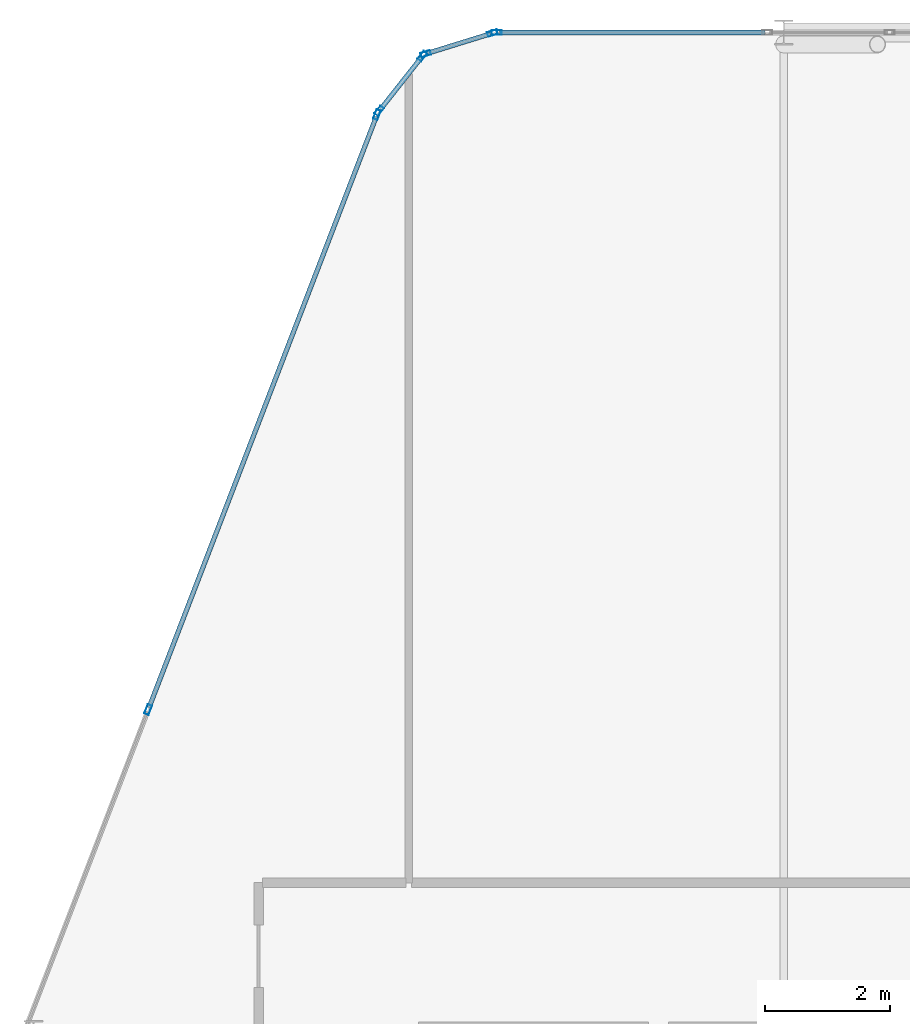
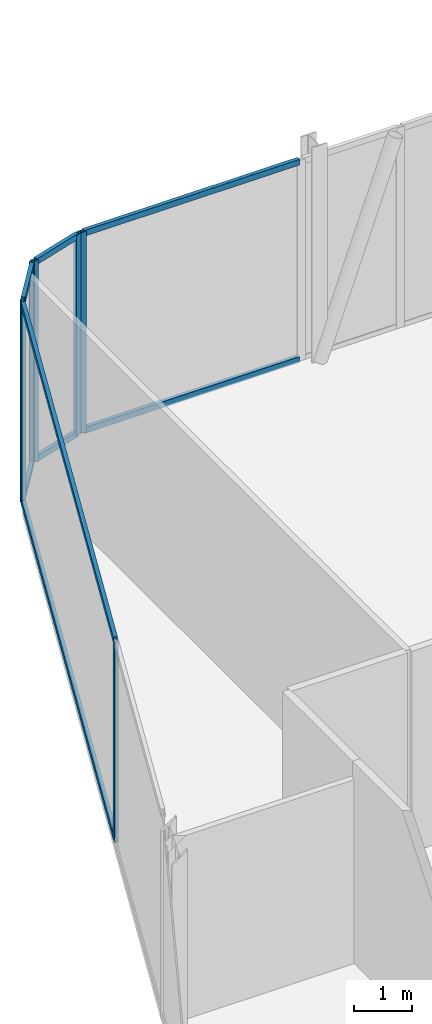
# One storey, part 14 of 24: 15 members, 4 elements without a shape of their own.
"""IFC4 building model written with IfcOpenShell, lengths in metres."""

from ifc_helpers import new_model, si_unit, direction, frame, origin, origin_2d, place, context, subcontext, project, spatial, hollow_rectangle, extrude, material, layer, layer_set, material_profile, profile_set, type_object, element, aggregate, save


model = new_model("IFC4")

# Units and contexts
model_context = context("Model", 3, precision=1e-05, world=origin(), true_north=direction((0.0, 1.0)))
body_context = subcontext(model_context, "Body", "Model", "MODEL_VIEW")
ifc_project = project(units=[si_unit("LENGTHUNIT", "METRE"), si_unit("AREAUNIT", "SQUARE_METRE"), si_unit("VOLUMEUNIT", "CUBIC_METRE"), si_unit("PLANEANGLEUNIT", "RADIAN"), si_unit("MASSUNIT", "GRAM", prefix="KILO")], contexts=[model_context])

# Site, building, storey
site_placement = place(None, origin())
site = spatial("IfcSite", under=ifc_project, at=site_placement, CompositionType="ELEMENT")
building_placement = place(site_placement, origin())
building = spatial("IfcBuilding", under=site, at=building_placement, Name="Keshet Zoharim Tower", CompositionType="ELEMENT")
storey_placement = place(building_placement, frame((0.0, 0.0, 299.10009765625)))
storey = spatial("IfcBuildingStorey", under=building, at=storey_placement, Name="L75", CompositionType="ELEMENT", Elevation=299.10009765625)

# Curtain wall, members
ifc_material = material(Name="Aluminium 6063-T6", Category="aluminium")
ifc_layer = layer(ifc_material, 0.260009765625)
ifc_layer_set = layer_set([ifc_layer], Name="Aluminium 6063-T6")
curtain_wall_type = type_object("IfcCurtainWallType", Name="CW-SYS-06", PredefinedType="NOTDEFINED", material=ifc_layer_set)
curtain_wall_1_placement = place(storey_placement, origin())
curtain_wall_1 = element("IfcCurtainWall", 1, at=curtain_wall_1_placement, inside=storey, type_object=curtain_wall_type, Name="L75 Unitised Curtain Wall 01", PredefinedType="NOTDEFINED")
ifc_material_profile_1 = material_profile(ifc_material, hollow_rectangle(XDim=0.074951171875, YDim=0.159912109375, WallThickness=0.00390625, at=origin_2d()), Name="MUL-75x160")
ifc_profile_set_1 = profile_set([ifc_material_profile_1], Name="Aluminium 6063-T6")
member_type_1 = type_object("IfcMemberType", Name="CWM-M15", PredefinedType="MULLION", material=ifc_profile_set_1)
member_1_placement = place(storey_placement, frame((10.833984375, 43.069091796875, 0.0), z_axis=(0.0, 0.0, 1.0), x_axis=(-0.933335529374, 0.359005277968, 0.0)))
member_1 = element("IfcMember", 2, at=member_1_placement, type_object=member_type_1, Name="CW-06 mullion 2", PredefinedType="MULLION", context=body_context, shape_type="SweptSolid", body=[
    extrude(hollow_rectangle(XDim=0.074951171875, YDim=0.159912109375, WallThickness=0.00390625, at=origin_2d()), origin(), (0.0, 0.0, 1.0), 4.18994140625),
])
member_2_placement = place(storey_placement, frame((14.494384765625, 52.58544921875, 0.0), z_axis=(0.0, 0.0, 1.0), x_axis=(-0.933335529374, 0.359005277968, 0.0)))
member_2 = element("IfcMember", 3, at=member_2_placement, type_object=member_type_1, Name="CW-06 mullion 3", PredefinedType="MULLION", context=body_context, shape_type="SweptSolid", body=[
    extrude(hollow_rectangle(XDim=0.074951171875, YDim=0.159912109375, WallThickness=0.00390625, at=origin_2d()), origin(), (0.0, 0.0, 1.0), 4.18994140625),
])

curtain_wall_2_placement = place(storey_placement, origin())
curtain_wall_2 = element("IfcCurtainWall", 4, at=curtain_wall_2_placement, inside=storey, type_object=curtain_wall_type, Name="L75 Unitised Curtain Wall 02", PredefinedType="NOTDEFINED")
member_3_placement = place(storey_placement, frame((14.528564453125, 52.6455078125, 0.0), z_axis=(0.0, 0.0, 1.0), x_axis=(-0.785292825205, 0.619124525989, 0.0)))
member_3 = element("IfcMember", 5, at=member_3_placement, type_object=member_type_1, Name="CW-06 mullion 1", PredefinedType="MULLION", context=body_context, shape_type="SweptSolid", body=[
    extrude(hollow_rectangle(XDim=0.074951171875, YDim=0.159912109375, WallThickness=0.00390625, at=origin_2d()), origin(), (0.0, 0.0, 1.0), 4.18994140625),
])
member_4_placement = place(storey_placement, frame((15.21923828125, 53.521484375, 0.0), z_axis=(0.0, 0.0, 1.0), x_axis=(-0.785292825205, 0.619124525989, 0.0)))
member_4 = element("IfcMember", 6, at=member_4_placement, type_object=member_type_1, Name="CW-06 mullion 2", PredefinedType="MULLION", context=body_context, shape_type="SweptSolid", body=[
    extrude(hollow_rectangle(XDim=0.074951171875, YDim=0.159912109375, WallThickness=0.00390625, at=origin_2d()), origin(), (0.0, 0.0, 1.0), 4.18994140625),
])

curtain_wall_3_placement = place(storey_placement, origin())
curtain_wall_3 = element("IfcCurtainWall", 7, at=curtain_wall_3_placement, inside=storey, type_object=curtain_wall_type, Name="L75 Unitised Curtain Wall 03", PredefinedType="NOTDEFINED")
member_5_placement = place(storey_placement, frame((15.2744140625, 53.559326171875, 0.0), z_axis=(0.0, 0.0, 1.0), x_axis=(-0.295921857984, 0.955212151288, 0.0)))
member_5 = element("IfcMember", 8, at=member_5_placement, type_object=member_type_1, Name="CW-06 mullion 1", PredefinedType="MULLION", context=body_context, shape_type="SweptSolid", body=[
    extrude(hollow_rectangle(XDim=0.074951171875, YDim=0.159912109375, WallThickness=0.00390625, at=origin_2d()), origin(), (0.0, 0.0, 1.0), 4.18994140625),
])
member_6_placement = place(storey_placement, frame((16.340576171875, 53.8896484375, 0.0), z_axis=(0.0, 0.0, 1.0), x_axis=(-0.295921857984, 0.955212151288, 0.0)))
member_6 = element("IfcMember", 9, at=member_6_placement, type_object=member_type_1, Name="CW-06 mullion 2", PredefinedType="MULLION", context=body_context, shape_type="SweptSolid", body=[
    extrude(hollow_rectangle(XDim=0.074951171875, YDim=0.159912109375, WallThickness=0.00390625, at=origin_2d()), origin(), (0.0, 0.0, 1.0), 4.18994140625),
])

# Curtain wall, member
curtain_wall_4_placement = place(storey_placement, origin())
curtain_wall_4 = element("IfcCurtainWall", 10, at=curtain_wall_4_placement, inside=storey, type_object=curtain_wall_type, Name="L75 Unitised Curtain Wall 04", PredefinedType="NOTDEFINED")
member_7_placement = place(storey_placement, frame((16.408935546875, 53.89990234375, 0.0), z_axis=(0.0, 0.0, 1.0), x_axis=(0.0, 1.0, 0.0)))
member_7 = element("IfcMember", 11, at=member_7_placement, type_object=member_type_1, Name="CW-06 mullion 1", PredefinedType="MULLION", context=body_context, shape_type="SweptSolid", body=[
    extrude(hollow_rectangle(XDim=0.074951171875, YDim=0.159912109375, WallThickness=0.00390625, at=origin_2d()), origin(), (0.0, 0.0, 1.0), 4.18994140625),
])

# Member
ifc_material_profile_2 = material_profile(ifc_material, hollow_rectangle(XDim=0.074951171875, YDim=0.1201171875, WallThickness=0.00390625, at=origin_2d()), Name="TRN-75x120")
ifc_profile_set_2 = profile_set([ifc_material_profile_2], Name="Aluminium 6063-T6")
member_type_2 = type_object("IfcMemberType", Name="CWT-T12", PredefinedType="USERDEFINED", material=ifc_profile_set_2)
member_8_placement = place(storey_placement, frame((10.8466796875, 43.1015625, 0.034912109375), z_axis=(0.358995235321, 0.933339392192, 0.0), x_axis=(-0.933339392192, 0.358995235321, 0.0)))
member_8 = element("IfcMember", 12, at=member_8_placement, type_object=member_type_2, Name="CW-06 transom 2.1", ObjectType="TRANSOM", PredefinedType="USERDEFINED", context=body_context, shape_type="SweptSolid", body=[
    extrude(hollow_rectangle(XDim=0.074951171875, YDim=0.1201171875, WallThickness=0.00390625, at=origin_2d()), origin(), (0.0, 0.0, 1.0), 10.126220703125),
])

member_9_placement = place(storey_placement, frame((10.8466796875, 43.1015625, 4.15478515625), z_axis=(0.358995235321, 0.933339392192, 0.0), x_axis=(-0.933339392192, 0.358995235321, 0.0)))
member_9 = element("IfcMember", 13, at=member_9_placement, type_object=member_type_2, Name="CW-06 transom 2.2", ObjectType="TRANSOM", PredefinedType="USERDEFINED", context=body_context, shape_type="SweptSolid", body=[
    extrude(hollow_rectangle(XDim=0.074951171875, YDim=0.1201171875, WallThickness=0.00390625, at=origin_2d()), origin(), (0.0, 0.0, 1.0), 10.126220703125),
])

aggregate(curtain_wall_1, [member_1, member_2, member_8, member_9])

member_10_placement = place(storey_placement, frame((14.55029296875, 52.6728515625, 0.034912109375), z_axis=(0.619099165969, 0.78531281837, 0.0), x_axis=(-0.78531281837, 0.619099165969, 0.0)))
member_10 = element("IfcMember", 14, at=member_10_placement, type_object=member_type_2, Name="CW-06 transom 1.1", ObjectType="TRANSOM", PredefinedType="USERDEFINED", context=body_context, shape_type="SweptSolid", body=[
    extrude(hollow_rectangle(XDim=0.074951171875, YDim=0.1201171875, WallThickness=0.00390625, at=origin_2d()), origin(), (0.0, 0.0, 1.0), 1.0458984375),
])

member_11_placement = place(storey_placement, frame((14.55029296875, 52.6728515625, 4.15478515625), z_axis=(0.619099165969, 0.78531281837, 0.0), x_axis=(-0.78531281837, 0.619099165969, 0.0)))
member_11 = element("IfcMember", 15, at=member_11_placement, type_object=member_type_2, Name="CW-06 transom 1.2", ObjectType="TRANSOM", PredefinedType="USERDEFINED", context=body_context, shape_type="SweptSolid", body=[
    extrude(hollow_rectangle(XDim=0.074951171875, YDim=0.1201171875, WallThickness=0.00390625, at=origin_2d()), origin(), (0.0, 0.0, 1.0), 1.0458984375),
])

aggregate(curtain_wall_2, [member_3, member_4, member_10, member_11])

member_12_placement = place(storey_placement, frame((15.307861328125, 53.56982421875, 0.034912109375), z_axis=(0.955212093062, 0.295922045933, 0.0), x_axis=(-0.295922045933, 0.955212093062, 0.0)))
member_12 = element("IfcMember", 16, at=member_12_placement, type_object=member_type_2, Name="CW-06 transom 1.1", ObjectType="TRANSOM", PredefinedType="USERDEFINED", context=body_context, shape_type="SweptSolid", body=[
    extrude(hollow_rectangle(XDim=0.074951171875, YDim=0.1201171875, WallThickness=0.00390625, at=origin_2d()), origin(), (0.0, 0.0, 1.0), 1.046142578125),
])

member_13_placement = place(storey_placement, frame((15.307861328125, 53.56982421875, 4.15478515625), z_axis=(0.955212093062, 0.295922045933, 0.0), x_axis=(-0.295922045933, 0.955212093062, 0.0)))
member_13 = element("IfcMember", 17, at=member_13_placement, type_object=member_type_2, Name="CW-06 transom 1.2", ObjectType="TRANSOM", PredefinedType="USERDEFINED", context=body_context, shape_type="SweptSolid", body=[
    extrude(hollow_rectangle(XDim=0.074951171875, YDim=0.1201171875, WallThickness=0.00390625, at=origin_2d()), origin(), (0.0, 0.0, 1.0), 1.046142578125),
])

aggregate(curtain_wall_3, [member_5, member_6, member_12, member_13])

member_14_placement = place(storey_placement, frame((16.444091796875, 53.89990234375, 0.034912109375), z_axis=(1.0, 0.0, 0.0), x_axis=(0.0, 1.0, 0.0)))
member_14 = element("IfcMember", 18, at=member_14_placement, type_object=member_type_2, Name="CW-06 transom 1.1", ObjectType="TRANSOM", PredefinedType="USERDEFINED", context=body_context, shape_type="SweptSolid", body=[
    extrude(hollow_rectangle(XDim=0.074951171875, YDim=0.1201171875, WallThickness=0.00390625, at=origin_2d()), origin(), (0.0, 0.0, 1.0), 4.25732421875),
])

member_15_placement = place(storey_placement, frame((16.444091796875, 53.89990234375, 4.15478515625), z_axis=(1.0, 0.0, 0.0), x_axis=(0.0, 1.0, 0.0)))
member_15 = element("IfcMember", 19, at=member_15_placement, type_object=member_type_2, Name="CW-06 transom 1.2", ObjectType="TRANSOM", PredefinedType="USERDEFINED", context=body_context, shape_type="SweptSolid", body=[
    extrude(hollow_rectangle(XDim=0.074951171875, YDim=0.1201171875, WallThickness=0.00390625, at=origin_2d()), origin(), (0.0, 0.0, 1.0), 4.25732421875),
])

aggregate(curtain_wall_4, [member_7, member_14, member_15])

save(model, "model.ifc")
